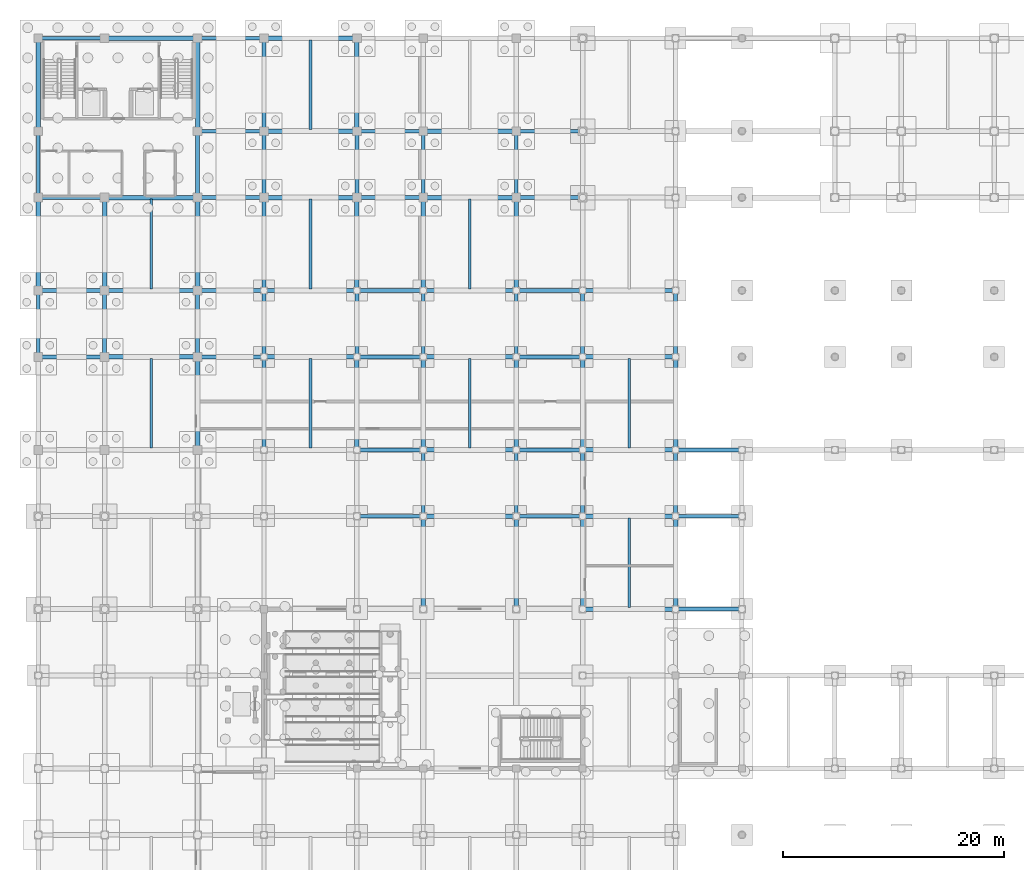
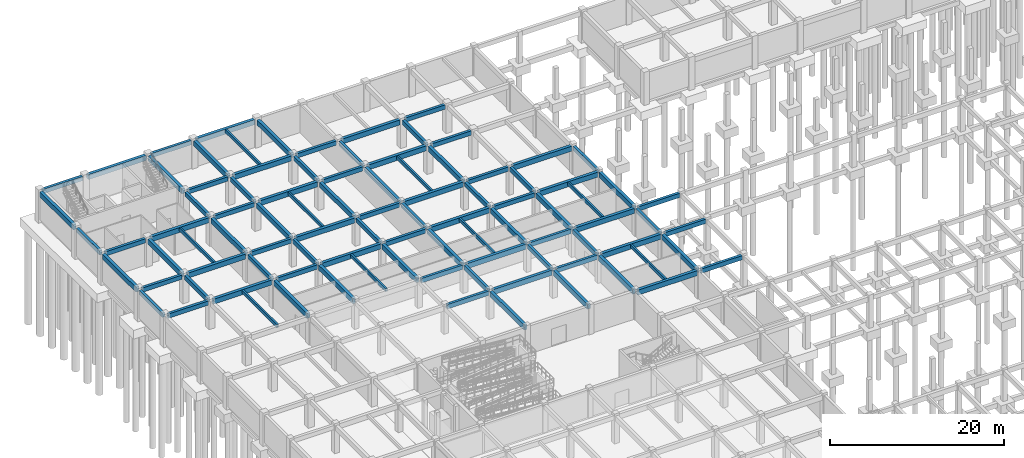
# One storey, part 20 of 40: 94 beams.
"""IFC4 building model written with IfcOpenShell, lengths in metres."""

import ifcopenshell
import ifcopenshell.guid

model = None  # the IFC model being written
_history = None  # IfcOwnerHistory: only IFC2X3 demands one
_inside = {}  # id of a spatial element -> (the spatial element, [elements in it])
_under = {}  # id of a project, library or spatial element -> (it, [spatial elements below it])
_declared = {}  # id of a project -> (the project, [libraries it declares])
_typed = {}  # id of a type object -> (the type object, [elements of that type])
_made_of = {}  # id of a material, layer set ... -> (it, [elements and type objects made of it])


def new_model(schema):
    """Start an empty IFC model of exactly this schema.

    Asked for "IFC4X3", IfcOpenShell would pick the latest addendum, in which some entities
    have other attributes; the version numbers below select the first issue.
    IFC2X3 requires an IfcOwnerHistory on every rooted entity: one is made here for all.
    """
    global model, _history
    if schema == "IFC4X3":
        model = ifcopenshell.file(schema_version=(4, 3, 0, 0))
    else:
        model = ifcopenshell.file(schema=schema)
    _inside.clear()
    _under.clear()
    _declared.clear()
    _typed.clear()
    _made_of.clear()
    _history = None
    if model.schema == "IFC2X3":
        org = make("IfcOrganization", Name="unknown")
        user = make(
            "IfcPersonAndOrganization",
            ThePerson=make("IfcPerson", FamilyName="unknown"),
            TheOrganization=org,
        )
        app = make(
            "IfcApplication",
            ApplicationDeveloper=org,
            Version="unknown",
            ApplicationFullName="unknown",
            ApplicationIdentifier="unknown",
        )
        _history = make(
            "IfcOwnerHistory",
            OwningUser=user,
            OwningApplication=app,
            ChangeAction="ADDED",
            CreationDate=0,
        )
    return model


def make(cls, **values):
    """One entity of the class cls with the attributes given. An attribute that is None is left unset."""
    return model.create_entity(
        cls, **{name: value for name, value in values.items() if value is not None}
    )


def rooted(cls, **values):
    """An entity with a GlobalId (a new one), such as an element, a storey or a relation."""
    return make(cls, GlobalId=ifcopenshell.guid.new(), OwnerHistory=_history, **values)


def si_unit(unit_type, name, prefix=None):
    """IfcSIUnit, for example si_unit("LENGTHUNIT", "METRE", prefix="MILLI")."""
    return make("IfcSIUnit", UnitType=unit_type, Prefix=prefix, Name=name)


def assignment(units):
    """IfcUnitAssignment: the units of a project."""
    return None if units is None else make("IfcUnitAssignment", Units=units)


def point(xyz):
    """IfcCartesianPoint."""
    return None if xyz is None else make("IfcCartesianPoint", Coordinates=xyz)


def direction(xyz):
    """IfcDirection."""
    return None if xyz is None else make("IfcDirection", DirectionRatios=xyz)


def frame(location, z_axis=None, x_axis=None):
    """IfcAxis2Placement3D, a coordinate frame: its origin and axes. An axis left out is left unset."""
    return make(
        "IfcAxis2Placement3D",
        Location=point(location),
        Axis=direction(z_axis),
        RefDirection=direction(x_axis),
    )


def frame_2d(location, x_axis=None):
    """IfcAxis2Placement2D, a coordinate frame in the plane: its origin and x axis."""
    return make(
        "IfcAxis2Placement2D", Location=point(location), RefDirection=direction(x_axis)
    )


def origin():
    """The frame at (0, 0, 0) with its axes left unset."""
    return frame((0.0, 0.0, 0.0))


def origin_2d():
    """The frame at (0, 0) in the plane with its x axis left unset."""
    return frame_2d((0.0, 0.0))


def place(relative_to, where):
    """IfcLocalPlacement: puts the frame where relative to a parent placement (None: the world)."""
    return make(
        "IfcLocalPlacement", PlacementRelTo=relative_to, RelativePlacement=where
    )


def context(
    kind, dimensions, precision=None, world=None, true_north=None, identifier=None
):
    """IfcGeometricRepresentationContext, for example the 3D "Model" context."""
    return make(
        "IfcGeometricRepresentationContext",
        ContextIdentifier=identifier,
        ContextType=kind,
        CoordinateSpaceDimension=dimensions,
        Precision=precision,
        WorldCoordinateSystem=world,
        TrueNorth=true_north,
    )


def subcontext(parent, identifier, kind, view, scale=None):
    """IfcGeometricRepresentationSubContext, for example "Body" below "Model"."""
    return make(
        "IfcGeometricRepresentationSubContext",
        ContextIdentifier=identifier,
        ContextType=kind,
        ParentContext=parent,
        TargetScale=scale,
        TargetView=view,
    )


def project(units=None, contexts=None):
    """IfcProject with its units and contexts."""
    return rooted(
        "IfcProject",
        Name="project",
        RepresentationContexts=contexts,
        UnitsInContext=assignment(units),
    )


def spatial(cls, under=None, at=None, **own):
    """A site, building, storey or space (cls), placed at a placement, below another one or the project."""
    s = rooted(cls, ObjectPlacement=at, **own)
    if under is not None:
        _under.setdefault(under.id(), (under, []))[1].append(s)
    return s


def profile(cls, at=None, kind="AREA", **sizes):
    """A parametric profile (cls). Its sizes go by their IFC names, for example OverallWidth=200.0."""
    return make(cls, ProfileType=kind, Position=at, **sizes)


def rectangle(**sizes):
    """IfcRectangleProfileDef."""
    return profile("IfcRectangleProfileDef", **sizes)


def extrude(swept, where, along, depth):
    """IfcExtrudedAreaSolid: the profile swept, set in the frame where, extruded along a direction by depth."""
    return make(
        "IfcExtrudedAreaSolid",
        SweptArea=swept,
        Position=where,
        ExtrudedDirection=direction(along),
        Depth=depth,
    )


def shape(context_of_items, identifier, shape_type, items):
    """IfcShapeRepresentation: the items that make up one representation, for example the "Body"."""
    return make(
        "IfcShapeRepresentation",
        ContextOfItems=context_of_items,
        RepresentationIdentifier=identifier,
        RepresentationType=shape_type,
        Items=items,
    )


def material(Name=None, Category=None):
    """IfcMaterial."""
    return make("IfcMaterial", Name=Name, Category=Category)


def material_profile(
    of_material, cross_section, Name=None, Category=None, Priority=None
):
    """IfcMaterialProfile: a cross section and its material."""
    return make(
        "IfcMaterialProfile",
        Name=Name,
        Material=of_material,
        Profile=cross_section,
        Priority=Priority,
        Category=Category,
    )


def profile_set(profiles, Name=None, composite=None):
    """IfcMaterialProfileSet."""
    return make(
        "IfcMaterialProfileSet",
        Name=Name,
        MaterialProfiles=profiles,
        CompositeProfile=composite,
    )


def made_of(thing, what):
    """Note that an element or type object is made of a material, layer set ...; save() writes the relation."""
    if what is not None:
        _made_of.setdefault(what.id(), (what, []))[1].append(thing)
    return thing


def type_object(cls, material=None, **own):
    """A type object (cls), such as IfcWallType, which elements share."""
    return made_of(rooted(cls, **own), material)


def element(
    cls,
    number,
    at=None,
    inside=None,
    cuts=None,
    type_object=None,
    material=None,
    context=None,
    identifier="Body",
    shape_type=None,
    held_by="IfcProductDefinitionShape",
    body=None,
    shapes=None,
    **own,
):
    """One element of the class cls, such as IfcWall. Its Tag is "e" and its number.

    at: its placement. inside: the storey or other place that contains it. cuts: it is an
    opening in that element (IfcRelVoidsElement). A single representation is given by context,
    identifier, shape_type and body (its items); several are given by shapes. held_by: the class
    of the entity that holds the representations. save() writes the other relations.
    """
    e = rooted(cls, Tag="e%d" % number, ObjectPlacement=at, **own)
    if body is not None:
        shapes = [shape(context, identifier, shape_type, body)]
    if shapes is not None:
        e.Representation = make(held_by, Representations=shapes)
    if inside is not None:
        _inside.setdefault(inside.id(), (inside, []))[1].append(e)
    if cuts is not None:
        rooted(
            "IfcRelVoidsElement", RelatingBuildingElement=cuts, RelatedOpeningElement=e
        )
    if type_object is not None:
        _typed.setdefault(type_object.id(), (type_object, []))[1].append(e)
    return made_of(e, material)


def aggregate(whole, parts):
    """IfcRelAggregates: a whole, such as a stair, and the parts it consists of."""
    return rooted("IfcRelAggregates", RelatingObject=whole, RelatedObjects=parts)


def save(model, path):
    """Write the relations noted so far, then the file.

    IfcRelAggregates (storeys below a building ...), IfcRelContainedInSpatialStructure (elements
    in a storey), IfcRelDefinesByType, IfcRelAssociatesMaterial and IfcRelDeclares: one each for
    every whole, place, type object, material and project.
    """
    for whole, parts in _under.values():
        aggregate(whole, parts)
    for where, things in _inside.values():
        rooted(
            "IfcRelContainedInSpatialStructure",
            RelatedElements=things,
            RelatingStructure=where,
        )
    for kind, things in _typed.values():
        rooted("IfcRelDefinesByType", RelatedObjects=things, RelatingType=kind)
    for what, things in _made_of.values():
        rooted("IfcRelAssociatesMaterial", RelatedObjects=things, RelatingMaterial=what)
    for by, libraries in _declared.values():
        rooted("IfcRelDeclares", RelatingContext=by, RelatedDefinitions=libraries)
    model.write(path)


model = new_model("IFC4")

# Units and contexts
model_context = context("Model", 3, precision=1e-05, world=origin(), true_north=direction((0.0, 1.0)))
body_context = subcontext(model_context, "Body", "Model", "MODEL_VIEW")
ifc_project = project(units=[si_unit("LENGTHUNIT", "METRE"), si_unit("AREAUNIT", "SQUARE_METRE"), si_unit("VOLUMEUNIT", "CUBIC_METRE"), si_unit("PLANEANGLEUNIT", "RADIAN"), si_unit("MASSUNIT", "GRAM", prefix="KILO"), si_unit("THERMODYNAMICTEMPERATUREUNIT", "KELVIN")], contexts=[model_context])

# Site, building, storey
site_placement = place(None, origin())
site = spatial("IfcSite", under=ifc_project, at=site_placement, CompositionType="ELEMENT")
building_placement = place(site_placement, origin())
building = spatial("IfcBuilding", under=site, at=building_placement, Name="Thalorik Housing Commons", CompositionType="ELEMENT")
storey_placement = place(building_placement, frame((0.0, 0.0, -4.199951171875)))
storey = spatial("IfcBuildingStorey", under=building, at=storey_placement, Name="B1", CompositionType="ELEMENT", Elevation=-4.199951171875)

# Beams
ifc_material = material(Name="Precast concrete C40/50", Category="concrete")
ifc_material_profile_1 = material_profile(ifc_material, rectangle(XDim=0.35009765625, YDim=0.60009765625, at=origin_2d()), Name="PC 350x600", Category="concrete")
ifc_profile_set_1 = profile_set([ifc_material_profile_1], Name="Precast concrete C40/50")
beam_type_1 = type_object("IfcBeamType", Name="STR-BM-PC350x600", PredefinedType="BEAM", material=ifc_profile_set_1)
beam_1_placement = place(storey_placement, frame((66.27490234375, 72.0, 3.599853515625), z_axis=(1.0, 0.0, 0.0), x_axis=(0.0, 1.0, 0.0)))
element("IfcBeam", 1, at=beam_1_placement, inside=storey, type_object=beam_type_1, Name="B1 Beam B-600", PredefinedType="BEAM", context=body_context, shape_type="SweptSolid", body=[
    extrude(rectangle(XDim=0.35009765625, YDim=0.60009765625, at=origin_2d()), origin(), (0.0, 0.0, 1.0), 5.4501953125),
])
for number, where, z_axis, x_axis, name in (
    (2, (37.47509765625, 80.39990234375, 3.599853515625), (1.0, 0.0, 0.0), (0.0, 1.0, 0.0), "B1 Beam B-600"),
    (3, (51.875, 80.39990234375, 3.599853515625), (1.0, 0.0, 0.0), (0.0, 1.0, 0.0), "B1 Beam B-600"),
):
    element("IfcBeam", number, at=place(storey_placement, frame(where, z_axis=z_axis, x_axis=x_axis)), inside=storey, type_object=beam_type_1, Name=name, PredefinedType="BEAM", context=body_context, shape_type="SweptSolid", body=[
        extrude(rectangle(XDim=0.35009765625, YDim=0.60009765625, at=origin_2d()), origin(), (0.0, 0.0, 1.0), 5.449951171875),
    ])
beam_2_placement = place(storey_placement, frame((66.27490234375, 80.39990234375, 3.599853515625), z_axis=(1.0, 0.0, 0.0), x_axis=(0.0, 1.0, 0.0)))
element("IfcBeam", 4, at=beam_2_placement, inside=storey, type_object=beam_type_1, Name="B1 Beam B-600", PredefinedType="BEAM", context=body_context, shape_type="SweptSolid", body=[
    extrude(rectangle(XDim=0.35009765625, YDim=0.60009765625, at=origin_2d()), origin(), (0.0, 0.0, 1.0), 5.4501953125),
])
for number, where, z_axis, x_axis, name in (
    (5, (37.47509765625, 86.39990234375, 3.599853515625), (1.0, 0.0, 0.0), (0.0, 1.0, 0.0), "B1 Beam B-600"),
    (6, (51.875, 86.39990234375, 3.599853515625), (1.0, 0.0, 0.0), (0.0, 1.0, 0.0), "B1 Beam B-600"),
):
    element("IfcBeam", number, at=place(storey_placement, frame(where, z_axis=z_axis, x_axis=x_axis)), inside=storey, type_object=beam_type_1, Name=name, PredefinedType="BEAM", context=body_context, shape_type="SweptSolid", body=[
        extrude(rectangle(XDim=0.35009765625, YDim=0.60009765625, at=origin_2d()), origin(), (0.0, 0.0, 1.0), 5.449951171875),
    ])
beam_3_placement = place(storey_placement, frame((66.27490234375, 86.39990234375, 3.599853515625), z_axis=(1.0, 0.0, 0.0), x_axis=(0.0, 1.0, 0.0)))
element("IfcBeam", 7, at=beam_3_placement, inside=storey, type_object=beam_type_1, Name="B1 Beam B-600", PredefinedType="BEAM", context=body_context, shape_type="SweptSolid", body=[
    extrude(rectangle(XDim=0.35009765625, YDim=0.60009765625, at=origin_2d()), origin(), (0.0, 0.0, 1.0), 5.4501953125),
])
beam_4_placement = place(storey_placement, frame((8.75, 94.800048828125, 3.599853515625), z_axis=(1.0, 0.0, 0.0), x_axis=(0.0, 1.0, 0.0)))
element("IfcBeam", 8, at=beam_4_placement, inside=storey, type_object=beam_type_1, Name="B1 Beam B-600", PredefinedType="BEAM", context=body_context, shape_type="SweptSolid", body=[
    extrude(rectangle(XDim=0.35009765625, YDim=0.60009765625, at=origin_2d()), origin(), (0.0, 0.0, 1.0), 5.300048828125),
])
beam_5_placement = place(storey_placement, frame((23.14990234375, 94.800048828125, 3.599853515625), z_axis=(1.0, 0.0, 0.0), x_axis=(0.0, 1.0, 0.0)))
element("IfcBeam", 9, at=beam_5_placement, inside=storey, type_object=beam_type_1, Name="B1 Beam B-600", PredefinedType="BEAM", context=body_context, shape_type="SweptSolid", body=[
    extrude(rectangle(XDim=0.35009765625, YDim=0.60009765625, at=origin_2d()), origin(), (0.0, 0.0, 1.0), 5.375),
])
for number, where, z_axis, x_axis, name in (
    (10, (37.47509765625, 94.800048828125, 3.599853515625), (1.0, 0.0, 0.0), (0.0, 1.0, 0.0), "B1 Beam B-600"),
    (11, (51.875, 94.800048828125, 3.599853515625), (1.0, 0.0, 0.0), (0.0, 1.0, 0.0), "B1 Beam B-600"),
):
    element("IfcBeam", number, at=place(storey_placement, frame(where, z_axis=z_axis, x_axis=x_axis)), inside=storey, type_object=beam_type_1, Name=name, PredefinedType="BEAM", context=body_context, shape_type="SweptSolid", body=[
        extrude(rectangle(XDim=0.35009765625, YDim=0.60009765625, at=origin_2d()), origin(), (0.0, 0.0, 1.0), 5.449951171875),
    ])
beam_6_placement = place(storey_placement, frame((8.75, 100.800048828125, 3.599853515625), z_axis=(1.0, 0.0, 0.0), x_axis=(0.0, 1.0, 0.0)))
element("IfcBeam", 12, at=beam_6_placement, inside=storey, type_object=beam_type_1, Name="B1 Beam B-600", PredefinedType="BEAM", context=body_context, shape_type="SweptSolid", body=[
    extrude(rectangle(XDim=0.35009765625, YDim=0.60009765625, at=origin_2d()), origin(), (0.0, 0.0, 1.0), 5.300048828125),
])
beam_7_placement = place(storey_placement, frame((23.14990234375, 100.800048828125, 3.599853515625), z_axis=(1.0, 0.0, 0.0), x_axis=(0.0, 1.0, 0.0)))
element("IfcBeam", 13, at=beam_7_placement, inside=storey, type_object=beam_type_1, Name="B1 Beam B-600", PredefinedType="BEAM", context=body_context, shape_type="SweptSolid", body=[
    extrude(rectangle(XDim=0.35009765625, YDim=0.60009765625, at=origin_2d()), origin(), (0.0, 0.0, 1.0), 5.375),
])
for number, where, z_axis, x_axis, name in (
    (14, (37.47509765625, 100.800048828125, 3.599853515625), (1.0, 0.0, 0.0), (0.0, 1.0, 0.0), "B1 Beam B-600"),
    (15, (51.875, 100.800048828125, 3.599853515625), (1.0, 0.0, 0.0), (0.0, 1.0, 0.0), "B1 Beam B-600"),
):
    element("IfcBeam", number, at=place(storey_placement, frame(where, z_axis=z_axis, x_axis=x_axis)), inside=storey, type_object=beam_type_1, Name=name, PredefinedType="BEAM", context=body_context, shape_type="SweptSolid", body=[
        extrude(rectangle(XDim=0.35009765625, YDim=0.60009765625, at=origin_2d()), origin(), (0.0, 0.0, 1.0), 5.449951171875),
    ])
for number, where, z_axis, x_axis, name in (
    (16, (8.75, 109.199951171875, 3.599853515625), (1.0, 0.0, 0.0), (0.0, 1.0, 0.0), "B1 Beam B-600"),
    (17, (23.14990234375, 109.199951171875, 3.599853515625), (1.0, 0.0, 0.0), (0.0, 1.0, 0.0), "B1 Beam B-600"),
    (18, (37.550048828125, 109.199951171875, 3.599853515625), (1.0, 0.0, 0.0), (0.0, 1.0, 0.0), "B1 Beam B-600"),
    (19, (51.949951171875, 109.199951171875, 3.599853515625), (1.0, 0.0, 0.0), (0.0, 1.0, 0.0), "B1 Beam B-600"),
    (20, (23.14990234375, 115.199951171875, 3.599853515625), (1.0, 0.0, 0.0), (0.0, 1.0, 0.0), "B1 Beam B-600"),
    (21, (37.550048828125, 115.199951171875, 3.599853515625), (1.0, 0.0, 0.0), (0.0, 1.0, 0.0), "B1 Beam B-600"),
    (22, (51.949951171875, 115.199951171875, 3.599853515625), (1.0, 0.0, 0.0), (0.0, 1.0, 0.0), "B1 Beam B-600"),
    (23, (8.75, 123.60009765625, 3.599853515625), (1.0, 0.0, 0.0), (0.0, 1.0, 0.0), "B1 Beam B-600"),
    (24, (23.14990234375, 123.60009765625, 3.599853515625), (1.0, 0.0, 0.0), (0.0, 1.0, 0.0), "B1 Beam B-600"),
    (25, (8.39990234375, 95.14990234375, 3.599853515625), (0.0, 1.0, 0.0), (-1.0, 0.0, 0.0), "B1 Beam B-600"),
    (26, (8.39990234375, 109.550048828125, 3.599853515625), (0.0, 1.0, 0.0), (-1.0, 0.0, 0.0), "B1 Beam B-600"),
    (27, (14.39990234375, 95.14990234375, 3.599853515625), (0.0, 1.0, 0.0), (-1.0, 0.0, 0.0), "B1 Beam B-600"),
    (28, (22.800048828125, 95.14990234375, 3.599853515625), (0.0, 1.0, 0.0), (-1.0, 0.0, 0.0), "B1 Beam B-600"),
    (29, (22.800048828125, 109.550048828125, 3.599853515625), (0.0, 1.0, 0.0), (-1.0, 0.0, 0.0), "B1 Beam B-600"),
):
    element("IfcBeam", number, at=place(storey_placement, frame(where, z_axis=z_axis, x_axis=x_axis)), inside=storey, type_object=beam_type_1, Name=name, PredefinedType="BEAM", context=body_context, shape_type="SweptSolid", body=[
        extrude(rectangle(XDim=0.35009765625, YDim=0.60009765625, at=origin_2d()), origin(), (0.0, 0.0, 1.0), 5.300048828125),
    ])
beam_8_placement = place(storey_placement, frame((28.800048828125, 95.074951171875, 3.599853515625), z_axis=(0.0, 1.0, 0.0), x_axis=(-1.0, 0.0, 0.0)))
element("IfcBeam", 30, at=beam_8_placement, inside=storey, type_object=beam_type_1, Name="B1 Beam B-600", PredefinedType="BEAM", context=body_context, shape_type="SweptSolid", body=[
    extrude(rectangle(XDim=0.35009765625, YDim=0.60009765625, at=origin_2d()), origin(), (0.0, 0.0, 1.0), 5.449951171875),
])
beam_9_placement = place(storey_placement, frame((28.800048828125, 109.550048828125, 3.599853515625), z_axis=(0.0, 1.0, 0.0), x_axis=(-1.0, 0.0, 0.0)))
element("IfcBeam", 31, at=beam_9_placement, inside=storey, type_object=beam_type_1, Name="B1 Beam B-600", PredefinedType="BEAM", context=body_context, shape_type="SweptSolid", body=[
    extrude(rectangle(XDim=0.35009765625, YDim=0.60009765625, at=origin_2d()), origin(), (0.0, 0.0, 1.0), 5.300048828125),
])
beam_10_placement = place(storey_placement, frame((37.199951171875, 95.074951171875, 3.599853515625), z_axis=(0.0, 1.0, 0.0), x_axis=(-1.0, 0.0, 0.0)))
element("IfcBeam", 32, at=beam_10_placement, inside=storey, type_object=beam_type_1, Name="B1 Beam B-600", PredefinedType="BEAM", context=body_context, shape_type="SweptSolid", body=[
    extrude(rectangle(XDim=0.35009765625, YDim=0.60009765625, at=origin_2d()), origin(), (0.0, 0.0, 1.0), 5.449951171875),
])
beam_11_placement = place(storey_placement, frame((37.199951171875, 109.550048828125, 3.599853515625), z_axis=(0.0, 1.0, 0.0), x_axis=(-1.0, 0.0, 0.0)))
element("IfcBeam", 33, at=beam_11_placement, inside=storey, type_object=beam_type_1, Name="B1 Beam B-600", PredefinedType="BEAM", context=body_context, shape_type="SweptSolid", body=[
    extrude(rectangle(XDim=0.35009765625, YDim=0.60009765625, at=origin_2d()), origin(), (0.0, 0.0, 1.0), 5.300048828125),
])
for number, where, z_axis, x_axis, name in (
    (34, (43.199951171875, 80.675048828125, 3.599853515625), (0.0, 1.0, 0.0), (-1.0, 0.0, 0.0), "B1 Beam B-600"),
    (35, (43.199951171875, 95.074951171875, 3.599853515625), (0.0, 1.0, 0.0), (-1.0, 0.0, 0.0), "B1 Beam B-600"),
):
    element("IfcBeam", number, at=place(storey_placement, frame(where, z_axis=z_axis, x_axis=x_axis)), inside=storey, type_object=beam_type_1, Name=name, PredefinedType="BEAM", context=body_context, shape_type="SweptSolid", body=[
        extrude(rectangle(XDim=0.35009765625, YDim=0.60009765625, at=origin_2d()), origin(), (0.0, 0.0, 1.0), 5.449951171875),
    ])
beam_12_placement = place(storey_placement, frame((43.199951171875, 109.550048828125, 3.599853515625), z_axis=(0.0, 1.0, 0.0), x_axis=(-1.0, 0.0, 0.0)))
element("IfcBeam", 36, at=beam_12_placement, inside=storey, type_object=beam_type_1, Name="B1 Beam B-600", PredefinedType="BEAM", context=body_context, shape_type="SweptSolid", body=[
    extrude(rectangle(XDim=0.35009765625, YDim=0.60009765625, at=origin_2d()), origin(), (0.0, 0.0, 1.0), 5.300048828125),
])
for number, where, z_axis, x_axis, name in (
    (37, (51.60009765625, 80.675048828125, 3.599853515625), (0.0, 1.0, 0.0), (-1.0, 0.0, 0.0), "B1 Beam B-600"),
    (38, (51.60009765625, 95.074951171875, 3.599853515625), (0.0, 1.0, 0.0), (-1.0, 0.0, 0.0), "B1 Beam B-600"),
):
    element("IfcBeam", number, at=place(storey_placement, frame(where, z_axis=z_axis, x_axis=x_axis)), inside=storey, type_object=beam_type_1, Name=name, PredefinedType="BEAM", context=body_context, shape_type="SweptSolid", body=[
        extrude(rectangle(XDim=0.35009765625, YDim=0.60009765625, at=origin_2d()), origin(), (0.0, 0.0, 1.0), 5.449951171875),
    ])
beam_13_placement = place(storey_placement, frame((51.60009765625, 109.550048828125, 3.599853515625), z_axis=(0.0, 1.0, 0.0), x_axis=(-1.0, 0.0, 0.0)))
element("IfcBeam", 39, at=beam_13_placement, inside=storey, type_object=beam_type_1, Name="B1 Beam B-600", PredefinedType="BEAM", context=body_context, shape_type="SweptSolid", body=[
    extrude(rectangle(XDim=0.35009765625, YDim=0.60009765625, at=origin_2d()), origin(), (0.0, 0.0, 1.0), 5.300048828125),
])
for number, where, z_axis, x_axis, name in (
    (40, (57.60009765625, 80.675048828125, 3.599853515625), (0.0, 1.0, 0.0), (-1.0, 0.0, 0.0), "B1 Beam B-600"),
    (41, (57.60009765625, 95.074951171875, 3.599853515625), (0.0, 1.0, 0.0), (-1.0, 0.0, 0.0), "B1 Beam B-600"),
    (42, (66.0, 80.675048828125, 3.599853515625), (0.0, 1.0, 0.0), (-1.0, 0.0, 0.0), "B1 Beam B-600"),
    (43, (66.0, 95.074951171875, 3.599853515625), (0.0, 1.0, 0.0), (-1.0, 0.0, 0.0), "B1 Beam B-600"),
):
    element("IfcBeam", number, at=place(storey_placement, frame(where, z_axis=z_axis, x_axis=x_axis)), inside=storey, type_object=beam_type_1, Name=name, PredefinedType="BEAM", context=body_context, shape_type="SweptSolid", body=[
        extrude(rectangle(XDim=0.35009765625, YDim=0.60009765625, at=origin_2d()), origin(), (0.0, 0.0, 1.0), 5.449951171875),
    ])
ifc_material_profile_2 = material_profile(ifc_material, rectangle(XDim=0.39990234375, YDim=0.699951171875, at=origin_2d()), Name="PC 400x700", Category="concrete")
ifc_profile_set_2 = profile_set([ifc_material_profile_2], Name="Precast concrete C40/50")
beam_type_2 = type_object("IfcBeamType", Name="STR-BM-PC400x700", PredefinedType="BEAM", material=ifc_profile_set_2)
beam_14_placement = place(storey_placement, frame((57.875, 72.0, 3.550048828125), z_axis=(1.0, 0.0, 0.0), x_axis=(0.0, 1.0, 0.0)))
element("IfcBeam", 44, at=beam_14_placement, inside=storey, type_object=beam_type_2, Name="B1 Beam B-700", PredefinedType="BEAM", context=body_context, shape_type="SweptSolid", body=[
    extrude(rectangle(XDim=0.39990234375, YDim=0.699951171875, at=origin_2d()), origin(), (0.0, 0.0, 1.0), 7.85009765625),
])
beam_15_placement = place(storey_placement, frame((43.47509765625, 80.39990234375, 3.550048828125), z_axis=(1.0, 0.0, 0.0), x_axis=(0.0, 1.0, 0.0)))
element("IfcBeam", 45, at=beam_15_placement, inside=storey, type_object=beam_type_2, Name="B1 Beam B-700", PredefinedType="BEAM", context=body_context, shape_type="SweptSolid", body=[
    extrude(rectangle(XDim=0.39990234375, YDim=0.699951171875, at=origin_2d()), origin(), (0.0, 0.0, 1.0), 7.849853515625),
])
beam_16_placement = place(storey_placement, frame((57.875, 80.39990234375, 3.550048828125), z_axis=(1.0, 0.0, 0.0), x_axis=(0.0, 1.0, 0.0)))
element("IfcBeam", 46, at=beam_16_placement, inside=storey, type_object=beam_type_2, Name="B1 Beam B-700", PredefinedType="BEAM", context=body_context, shape_type="SweptSolid", body=[
    extrude(rectangle(XDim=0.39990234375, YDim=0.699951171875, at=origin_2d()), origin(), (0.0, 0.0, 1.0), 7.85009765625),
])
beam_17_placement = place(storey_placement, frame((43.47509765625, 86.39990234375, 3.550048828125), z_axis=(1.0, 0.0, 0.0), x_axis=(0.0, 1.0, 0.0)))
element("IfcBeam", 47, at=beam_17_placement, inside=storey, type_object=beam_type_2, Name="B1 Beam B-700", PredefinedType="BEAM", context=body_context, shape_type="SweptSolid", body=[
    extrude(rectangle(XDim=0.39990234375, YDim=0.699951171875, at=origin_2d()), origin(), (0.0, 0.0, 1.0), 7.849853515625),
])
beam_18_placement = place(storey_placement, frame((57.875, 86.39990234375, 3.550048828125), z_axis=(1.0, 0.0, 0.0), x_axis=(0.0, 1.0, 0.0)))
element("IfcBeam", 48, at=beam_18_placement, inside=storey, type_object=beam_type_2, Name="B1 Beam B-700", PredefinedType="BEAM", context=body_context, shape_type="SweptSolid", body=[
    extrude(rectangle(XDim=0.39990234375, YDim=0.699951171875, at=origin_2d()), origin(), (0.0, 0.0, 1.0), 7.85009765625),
])
beam_19_placement = place(storey_placement, frame((14.75, 94.800048828125, 3.550048828125), z_axis=(1.0, 0.0, 0.0), x_axis=(0.0, 1.0, 0.0)))
element("IfcBeam", 49, at=beam_19_placement, inside=storey, type_object=beam_type_2, Name="B1 Beam B-700", PredefinedType="BEAM", context=body_context, shape_type="SweptSolid", body=[
    extrude(rectangle(XDim=0.39990234375, YDim=0.699951171875, at=origin_2d()), origin(), (0.0, 0.0, 1.0), 7.699951171875),
])
beam_20_placement = place(storey_placement, frame((29.074951171875, 94.800048828125, 3.550048828125), z_axis=(1.0, 0.0, 0.0), x_axis=(0.0, 1.0, 0.0)))
element("IfcBeam", 50, at=beam_20_placement, inside=storey, type_object=beam_type_2, Name="B1 Beam B-700", PredefinedType="BEAM", context=body_context, shape_type="SweptSolid", body=[
    extrude(rectangle(XDim=0.39990234375, YDim=0.699951171875, at=origin_2d()), origin(), (0.0, 0.0, 1.0), 7.85009765625),
])
beam_21_placement = place(storey_placement, frame((43.47509765625, 94.800048828125, 3.550048828125), z_axis=(1.0, 0.0, 0.0), x_axis=(0.0, 1.0, 0.0)))
element("IfcBeam", 51, at=beam_21_placement, inside=storey, type_object=beam_type_2, Name="B1 Beam B-700", PredefinedType="BEAM", context=body_context, shape_type="SweptSolid", body=[
    extrude(rectangle(XDim=0.39990234375, YDim=0.699951171875, at=origin_2d()), origin(), (0.0, 0.0, 1.0), 7.849853515625),
])
beam_22_placement = place(storey_placement, frame((57.875, 94.800048828125, 3.550048828125), z_axis=(1.0, 0.0, 0.0), x_axis=(0.0, 1.0, 0.0)))
element("IfcBeam", 52, at=beam_22_placement, inside=storey, type_object=beam_type_2, Name="B1 Beam B-700", PredefinedType="BEAM", context=body_context, shape_type="SweptSolid", body=[
    extrude(rectangle(XDim=0.39990234375, YDim=0.699951171875, at=origin_2d()), origin(), (0.0, 0.0, 1.0), 7.85009765625),
])
beam_23_placement = place(storey_placement, frame((14.75, 100.800048828125, 3.550048828125), z_axis=(1.0, 0.0, 0.0), x_axis=(0.0, 1.0, 0.0)))
element("IfcBeam", 53, at=beam_23_placement, inside=storey, type_object=beam_type_2, Name="B1 Beam B-700", PredefinedType="BEAM", context=body_context, shape_type="SweptSolid", body=[
    extrude(rectangle(XDim=0.39990234375, YDim=0.699951171875, at=origin_2d()), origin(), (0.0, 0.0, 1.0), 7.699951171875),
])
beam_24_placement = place(storey_placement, frame((29.074951171875, 100.800048828125, 3.550048828125), z_axis=(1.0, 0.0, 0.0), x_axis=(0.0, 1.0, 0.0)))
element("IfcBeam", 54, at=beam_24_placement, inside=storey, type_object=beam_type_2, Name="B1 Beam B-700", PredefinedType="BEAM", context=body_context, shape_type="SweptSolid", body=[
    extrude(rectangle(XDim=0.39990234375, YDim=0.699951171875, at=origin_2d()), origin(), (0.0, 0.0, 1.0), 7.85009765625),
])
beam_25_placement = place(storey_placement, frame((43.47509765625, 100.800048828125, 3.550048828125), z_axis=(1.0, 0.0, 0.0), x_axis=(0.0, 1.0, 0.0)))
element("IfcBeam", 55, at=beam_25_placement, inside=storey, type_object=beam_type_2, Name="B1 Beam B-700", PredefinedType="BEAM", context=body_context, shape_type="SweptSolid", body=[
    extrude(rectangle(XDim=0.39990234375, YDim=0.699951171875, at=origin_2d()), origin(), (0.0, 0.0, 1.0), 7.849853515625),
])
beam_26_placement = place(storey_placement, frame((57.875, 100.800048828125, 3.550048828125), z_axis=(1.0, 0.0, 0.0), x_axis=(0.0, 1.0, 0.0)))
element("IfcBeam", 56, at=beam_26_placement, inside=storey, type_object=beam_type_2, Name="B1 Beam B-700", PredefinedType="BEAM", context=body_context, shape_type="SweptSolid", body=[
    extrude(rectangle(XDim=0.39990234375, YDim=0.699951171875, at=origin_2d()), origin(), (0.0, 0.0, 1.0), 7.85009765625),
])
beam_27_placement = place(storey_placement, frame((14.75, 109.199951171875, 3.550048828125), z_axis=(1.0, 0.0, 0.0), x_axis=(0.0, 1.0, 0.0)))
element("IfcBeam", 57, at=beam_27_placement, inside=storey, type_object=beam_type_2, Name="B1 Beam B-700", PredefinedType="BEAM", context=body_context, shape_type="SweptSolid", body=[
    extrude(rectangle(XDim=0.39990234375, YDim=0.699951171875, at=origin_2d()), origin(), (0.0, 0.0, 1.0), 7.699951171875),
])
beam_28_placement = place(storey_placement, frame((29.14990234375, 109.199951171875, 3.550048828125), z_axis=(1.0, 0.0, 0.0), x_axis=(0.0, 1.0, 0.0)))
element("IfcBeam", 58, at=beam_28_placement, inside=storey, type_object=beam_type_2, Name="B1 Beam B-700", PredefinedType="BEAM", context=body_context, shape_type="SweptSolid", body=[
    extrude(rectangle(XDim=0.39990234375, YDim=0.699951171875, at=origin_2d()), origin(), (0.0, 0.0, 1.0), 7.7001953125),
])
beam_29_placement = place(storey_placement, frame((43.550048828125, 109.199951171875, 3.550048828125), z_axis=(1.0, 0.0, 0.0), x_axis=(0.0, 1.0, 0.0)))
element("IfcBeam", 59, at=beam_29_placement, inside=storey, type_object=beam_type_2, Name="B1 Beam B-700", PredefinedType="BEAM", context=body_context, shape_type="SweptSolid", body=[
    extrude(rectangle(XDim=0.39990234375, YDim=0.699951171875, at=origin_2d()), origin(), (0.0, 0.0, 1.0), 7.699951171875),
])
beam_30_placement = place(storey_placement, frame((29.14990234375, 115.199951171875, 3.550048828125), z_axis=(1.0, 0.0, 0.0), x_axis=(0.0, 1.0, 0.0)))
element("IfcBeam", 60, at=beam_30_placement, inside=storey, type_object=beam_type_2, Name="B1 Beam B-700", PredefinedType="BEAM", context=body_context, shape_type="SweptSolid", body=[
    extrude(rectangle(XDim=0.39990234375, YDim=0.699951171875, at=origin_2d()), origin(), (0.0, 0.0, 1.0), 7.7001953125),
])
for number, where, z_axis, x_axis, name in (
    (61, (43.550048828125, 115.199951171875, 3.550048828125), (1.0, 0.0, 0.0), (0.0, 1.0, 0.0), "B1 Beam B-700"),
    (62, (14.75, 123.60009765625, 3.550048828125), (1.0, 0.0, 0.0), (0.0, 1.0, 0.0), "B1 Beam B-700"),
):
    element("IfcBeam", number, at=place(storey_placement, frame(where, z_axis=z_axis, x_axis=x_axis)), inside=storey, type_object=beam_type_2, Name=name, PredefinedType="BEAM", context=body_context, shape_type="SweptSolid", body=[
        extrude(rectangle(XDim=0.39990234375, YDim=0.699951171875, at=origin_2d()), origin(), (0.0, 0.0, 1.0), 7.699951171875),
    ])
for number, where, z_axis, x_axis, name in (
    (63, (29.14990234375, 123.60009765625, 3.550048828125), (1.0, 0.0, 0.0), (0.0, 1.0, 0.0), "B1 Beam B-700"),
    (64, (8.39990234375, 101.14990234375, 3.550048828125), (0.0, 1.0, 0.0), (-1.0, 0.0, 0.0), "B1 Beam B-700"),
):
    element("IfcBeam", number, at=place(storey_placement, frame(where, z_axis=z_axis, x_axis=x_axis)), inside=storey, type_object=beam_type_2, Name=name, PredefinedType="BEAM", context=body_context, shape_type="SweptSolid", body=[
        extrude(rectangle(XDim=0.39990234375, YDim=0.699951171875, at=origin_2d()), origin(), (0.0, 0.0, 1.0), 7.7001953125),
    ])
beam_31_placement = place(storey_placement, frame((8.39990234375, 115.550048828125, 3.550048828125), z_axis=(0.0, 1.0, 0.0), x_axis=(-1.0, 0.0, 0.0)))
element("IfcBeam", 65, at=beam_31_placement, inside=storey, type_object=beam_type_2, Name="B1 Beam B-700", PredefinedType="BEAM", context=body_context, shape_type="SweptSolid", body=[
    extrude(rectangle(XDim=0.39990234375, YDim=0.699951171875, at=origin_2d()), origin(), (0.0, 0.0, 1.0), 7.699951171875),
])
beam_32_placement = place(storey_placement, frame((14.39990234375, 101.14990234375, 3.550048828125), z_axis=(0.0, 1.0, 0.0), x_axis=(-1.0, 0.0, 0.0)))
element("IfcBeam", 66, at=beam_32_placement, inside=storey, type_object=beam_type_2, Name="B1 Beam B-700", PredefinedType="BEAM", context=body_context, shape_type="SweptSolid", body=[
    extrude(rectangle(XDim=0.39990234375, YDim=0.699951171875, at=origin_2d()), origin(), (0.0, 0.0, 1.0), 7.7001953125),
])
beam_33_placement = place(storey_placement, frame((22.800048828125, 86.75, 3.550048828125), z_axis=(0.0, 1.0, 0.0), x_axis=(-1.0, 0.0, 0.0)))
element("IfcBeam", 67, at=beam_33_placement, inside=storey, type_object=beam_type_2, Name="B1 Beam B-700", PredefinedType="BEAM", context=body_context, shape_type="SweptSolid", body=[
    extrude(rectangle(XDim=0.39990234375, YDim=0.699951171875, at=origin_2d()), origin(), (0.0, 0.0, 1.0), 7.699951171875),
])
beam_34_placement = place(storey_placement, frame((22.800048828125, 101.14990234375, 3.550048828125), z_axis=(0.0, 1.0, 0.0), x_axis=(-1.0, 0.0, 0.0)))
element("IfcBeam", 68, at=beam_34_placement, inside=storey, type_object=beam_type_2, Name="B1 Beam B-700", PredefinedType="BEAM", context=body_context, shape_type="SweptSolid", body=[
    extrude(rectangle(XDim=0.39990234375, YDim=0.699951171875, at=origin_2d()), origin(), (0.0, 0.0, 1.0), 7.7001953125),
])
beam_35_placement = place(storey_placement, frame((22.800048828125, 115.550048828125, 3.550048828125), z_axis=(0.0, 1.0, 0.0), x_axis=(-1.0, 0.0, 0.0)))
element("IfcBeam", 69, at=beam_35_placement, inside=storey, type_object=beam_type_2, Name="B1 Beam B-700", PredefinedType="BEAM", context=body_context, shape_type="SweptSolid", body=[
    extrude(rectangle(XDim=0.39990234375, YDim=0.699951171875, at=origin_2d()), origin(), (0.0, 0.0, 1.0), 7.699951171875),
])
beam_36_placement = place(storey_placement, frame((28.800048828125, 86.675048828125, 3.550048828125), z_axis=(0.0, 1.0, 0.0), x_axis=(-1.0, 0.0, 0.0)))
element("IfcBeam", 70, at=beam_36_placement, inside=storey, type_object=beam_type_2, Name="B1 Beam B-700", PredefinedType="BEAM", context=body_context, shape_type="SweptSolid", body=[
    extrude(rectangle(XDim=0.39990234375, YDim=0.699951171875, at=origin_2d()), origin(), (0.0, 0.0, 1.0), 7.849853515625),
])
beam_37_placement = place(storey_placement, frame((28.800048828125, 101.074951171875, 3.550048828125), z_axis=(0.0, 1.0, 0.0), x_axis=(-1.0, 0.0, 0.0)))
element("IfcBeam", 71, at=beam_37_placement, inside=storey, type_object=beam_type_2, Name="B1 Beam B-700", PredefinedType="BEAM", context=body_context, shape_type="SweptSolid", body=[
    extrude(rectangle(XDim=0.39990234375, YDim=0.699951171875, at=origin_2d()), origin(), (0.0, 0.0, 1.0), 7.775146484375),
])
beam_38_placement = place(storey_placement, frame((28.800048828125, 115.550048828125, 3.550048828125), z_axis=(0.0, 1.0, 0.0), x_axis=(-1.0, 0.0, 0.0)))
element("IfcBeam", 72, at=beam_38_placement, inside=storey, type_object=beam_type_2, Name="B1 Beam B-700", PredefinedType="BEAM", context=body_context, shape_type="SweptSolid", body=[
    extrude(rectangle(XDim=0.39990234375, YDim=0.699951171875, at=origin_2d()), origin(), (0.0, 0.0, 1.0), 7.699951171875),
])
beam_39_placement = place(storey_placement, frame((37.199951171875, 86.675048828125, 3.550048828125), z_axis=(0.0, 1.0, 0.0), x_axis=(-1.0, 0.0, 0.0)))
element("IfcBeam", 73, at=beam_39_placement, inside=storey, type_object=beam_type_2, Name="B1 Beam B-700", PredefinedType="BEAM", context=body_context, shape_type="SweptSolid", body=[
    extrude(rectangle(XDim=0.39990234375, YDim=0.699951171875, at=origin_2d()), origin(), (0.0, 0.0, 1.0), 7.849853515625),
])
beam_40_placement = place(storey_placement, frame((37.199951171875, 101.074951171875, 3.550048828125), z_axis=(0.0, 1.0, 0.0), x_axis=(-1.0, 0.0, 0.0)))
element("IfcBeam", 74, at=beam_40_placement, inside=storey, type_object=beam_type_2, Name="B1 Beam B-700", PredefinedType="BEAM", context=body_context, shape_type="SweptSolid", body=[
    extrude(rectangle(XDim=0.39990234375, YDim=0.699951171875, at=origin_2d()), origin(), (0.0, 0.0, 1.0), 7.775146484375),
])
beam_41_placement = place(storey_placement, frame((37.199951171875, 115.550048828125, 3.550048828125), z_axis=(0.0, 1.0, 0.0), x_axis=(-1.0, 0.0, 0.0)))
element("IfcBeam", 75, at=beam_41_placement, inside=storey, type_object=beam_type_2, Name="B1 Beam B-700", PredefinedType="BEAM", context=body_context, shape_type="SweptSolid", body=[
    extrude(rectangle(XDim=0.39990234375, YDim=0.699951171875, at=origin_2d()), origin(), (0.0, 0.0, 1.0), 7.699951171875),
])
beam_42_placement = place(storey_placement, frame((43.199951171875, 72.27490234375, 3.550048828125), z_axis=(0.0, 1.0, 0.0), x_axis=(-1.0, 0.0, 0.0)))
element("IfcBeam", 76, at=beam_42_placement, inside=storey, type_object=beam_type_2, Name="B1 Beam B-700", PredefinedType="BEAM", context=body_context, shape_type="SweptSolid", body=[
    extrude(rectangle(XDim=0.39990234375, YDim=0.699951171875, at=origin_2d()), origin(), (0.0, 0.0, 1.0), 7.85009765625),
])
beam_43_placement = place(storey_placement, frame((43.199951171875, 86.675048828125, 3.550048828125), z_axis=(0.0, 1.0, 0.0), x_axis=(-1.0, 0.0, 0.0)))
element("IfcBeam", 77, at=beam_43_placement, inside=storey, type_object=beam_type_2, Name="B1 Beam B-700", PredefinedType="BEAM", context=body_context, shape_type="SweptSolid", body=[
    extrude(rectangle(XDim=0.39990234375, YDim=0.699951171875, at=origin_2d()), origin(), (0.0, 0.0, 1.0), 7.849853515625),
])
beam_44_placement = place(storey_placement, frame((43.199951171875, 101.074951171875, 3.550048828125), z_axis=(0.0, 1.0, 0.0), x_axis=(-1.0, 0.0, 0.0)))
element("IfcBeam", 78, at=beam_44_placement, inside=storey, type_object=beam_type_2, Name="B1 Beam B-700", PredefinedType="BEAM", context=body_context, shape_type="SweptSolid", body=[
    extrude(rectangle(XDim=0.39990234375, YDim=0.699951171875, at=origin_2d()), origin(), (0.0, 0.0, 1.0), 7.775146484375),
])
beam_45_placement = place(storey_placement, frame((51.60009765625, 72.27490234375, 3.550048828125), z_axis=(0.0, 1.0, 0.0), x_axis=(-1.0, 0.0, 0.0)))
element("IfcBeam", 79, at=beam_45_placement, inside=storey, type_object=beam_type_2, Name="B1 Beam B-700", PredefinedType="BEAM", context=body_context, shape_type="SweptSolid", body=[
    extrude(rectangle(XDim=0.39990234375, YDim=0.699951171875, at=origin_2d()), origin(), (0.0, 0.0, 1.0), 7.85009765625),
])
beam_46_placement = place(storey_placement, frame((51.60009765625, 86.675048828125, 3.550048828125), z_axis=(0.0, 1.0, 0.0), x_axis=(-1.0, 0.0, 0.0)))
element("IfcBeam", 80, at=beam_46_placement, inside=storey, type_object=beam_type_2, Name="B1 Beam B-700", PredefinedType="BEAM", context=body_context, shape_type="SweptSolid", body=[
    extrude(rectangle(XDim=0.39990234375, YDim=0.699951171875, at=origin_2d()), origin(), (0.0, 0.0, 1.0), 7.849853515625),
])
beam_47_placement = place(storey_placement, frame((51.60009765625, 101.074951171875, 3.550048828125), z_axis=(0.0, 1.0, 0.0), x_axis=(-1.0, 0.0, 0.0)))
element("IfcBeam", 81, at=beam_47_placement, inside=storey, type_object=beam_type_2, Name="B1 Beam B-700", PredefinedType="BEAM", context=body_context, shape_type="SweptSolid", body=[
    extrude(rectangle(XDim=0.39990234375, YDim=0.699951171875, at=origin_2d()), origin(), (0.0, 0.0, 1.0), 7.775146484375),
])
beam_48_placement = place(storey_placement, frame((57.60009765625, 72.27490234375, 3.550048828125), z_axis=(0.0, 1.0, 0.0), x_axis=(-1.0, 0.0, 0.0)))
element("IfcBeam", 82, at=beam_48_placement, inside=storey, type_object=beam_type_2, Name="B1 Beam B-700", PredefinedType="BEAM", context=body_context, shape_type="SweptSolid", body=[
    extrude(rectangle(XDim=0.39990234375, YDim=0.699951171875, at=origin_2d()), origin(), (0.0, 0.0, 1.0), 7.85009765625),
])
beam_49_placement = place(storey_placement, frame((57.60009765625, 86.675048828125, 3.550048828125), z_axis=(0.0, 1.0, 0.0), x_axis=(-1.0, 0.0, 0.0)))
element("IfcBeam", 83, at=beam_49_placement, inside=storey, type_object=beam_type_2, Name="B1 Beam B-700", PredefinedType="BEAM", context=body_context, shape_type="SweptSolid", body=[
    extrude(rectangle(XDim=0.39990234375, YDim=0.699951171875, at=origin_2d()), origin(), (0.0, 0.0, 1.0), 7.849853515625),
])
beam_50_placement = place(storey_placement, frame((66.0, 72.27490234375, 3.550048828125), z_axis=(0.0, 1.0, 0.0), x_axis=(-1.0, 0.0, 0.0)))
element("IfcBeam", 84, at=beam_50_placement, inside=storey, type_object=beam_type_2, Name="B1 Beam B-700", PredefinedType="BEAM", context=body_context, shape_type="SweptSolid", body=[
    extrude(rectangle(XDim=0.39990234375, YDim=0.699951171875, at=origin_2d()), origin(), (0.0, 0.0, 1.0), 7.85009765625),
])
beam_51_placement = place(storey_placement, frame((66.0, 86.675048828125, 3.550048828125), z_axis=(0.0, 1.0, 0.0), x_axis=(-1.0, 0.0, 0.0)))
element("IfcBeam", 85, at=beam_51_placement, inside=storey, type_object=beam_type_2, Name="B1 Beam B-700", PredefinedType="BEAM", context=body_context, shape_type="SweptSolid", body=[
    extrude(rectangle(XDim=0.39990234375, YDim=0.699951171875, at=origin_2d()), origin(), (0.0, 0.0, 1.0), 7.849853515625),
])
ifc_material_profile_3 = material_profile(ifc_material, rectangle(XDim=0.239990234375, YDim=0.43994140625, at=origin_2d()), Name="PC JST 240x440", Category="concrete")
ifc_profile_set_3 = profile_set([ifc_material_profile_3], Name="Precast concrete C40/50")
beam_type_3 = type_object("IfcBeamType", Name="STR-JST-PC240x440", PredefinedType="JOIST", material=ifc_profile_set_3)
beam_52_placement = place(storey_placement, frame((61.800048828125, 72.14990234375, 3.679931640625), z_axis=(0.0, 1.0, 0.0), x_axis=(-1.0, 0.0, 0.0)))
element("IfcBeam", 86, at=beam_52_placement, inside=storey, type_object=beam_type_3, Name="B1 Beam J-440", PredefinedType="JOIST", context=body_context, shape_type="SweptSolid", body=[
    extrude(rectangle(XDim=0.239990234375, YDim=0.43994140625, at=origin_2d()), origin(), (0.0, 0.0, 1.0), 8.10009765625),
])
for number, where, z_axis, x_axis, name in (
    (87, (18.60009765625, 86.550048828125, 3.679931640625), (0.0, 1.0, 0.0), (-1.0, 0.0, 0.0), "B1 Beam J-440"),
    (88, (33.0, 86.550048828125, 3.679931640625), (0.0, 1.0, 0.0), (-1.0, 0.0, 0.0), "B1 Beam J-440"),
    (89, (47.39990234375, 86.550048828125, 3.679931640625), (0.0, 1.0, 0.0), (-1.0, 0.0, 0.0), "B1 Beam J-440"),
    (90, (61.800048828125, 86.550048828125, 3.679931640625), (0.0, 1.0, 0.0), (-1.0, 0.0, 0.0), "B1 Beam J-440"),
):
    element("IfcBeam", number, at=place(storey_placement, frame(where, z_axis=z_axis, x_axis=x_axis)), inside=storey, type_object=beam_type_3, Name=name, PredefinedType="JOIST", context=body_context, shape_type="SweptSolid", body=[
        extrude(rectangle(XDim=0.239990234375, YDim=0.43994140625, at=origin_2d()), origin(), (0.0, 0.0, 1.0), 8.099853515625),
    ])
for number, where, z_axis, x_axis, name in (
    (91, (18.60009765625, 100.949951171875, 3.679931640625), (0.0, 1.0, 0.0), (-1.0, 0.0, 0.0), "B1 Beam J-440"),
    (92, (33.0, 100.949951171875, 3.679931640625), (0.0, 1.0, 0.0), (-1.0, 0.0, 0.0), "B1 Beam J-440"),
    (93, (47.39990234375, 100.949951171875, 3.679931640625), (0.0, 1.0, 0.0), (-1.0, 0.0, 0.0), "B1 Beam J-440"),
):
    element("IfcBeam", number, at=place(storey_placement, frame(where, z_axis=z_axis, x_axis=x_axis)), inside=storey, type_object=beam_type_3, Name=name, PredefinedType="JOIST", context=body_context, shape_type="SweptSolid", body=[
        extrude(rectangle(XDim=0.239990234375, YDim=0.43994140625, at=origin_2d()), origin(), (0.0, 0.0, 1.0), 8.10009765625),
    ])
beam_53_placement = place(storey_placement, frame((33.0, 115.35009765625, 3.679931640625), z_axis=(0.0, 1.0, 0.0), x_axis=(-1.0, 0.0, 0.0)))
element("IfcBeam", 94, at=beam_53_placement, inside=storey, type_object=beam_type_3, Name="B1 Beam J-440", PredefinedType="JOIST", context=body_context, shape_type="SweptSolid", body=[
    extrude(rectangle(XDim=0.239990234375, YDim=0.43994140625, at=origin_2d()), origin(), (0.0, 0.0, 1.0), 8.099853515625),
])

save(model, "model.ifc")
